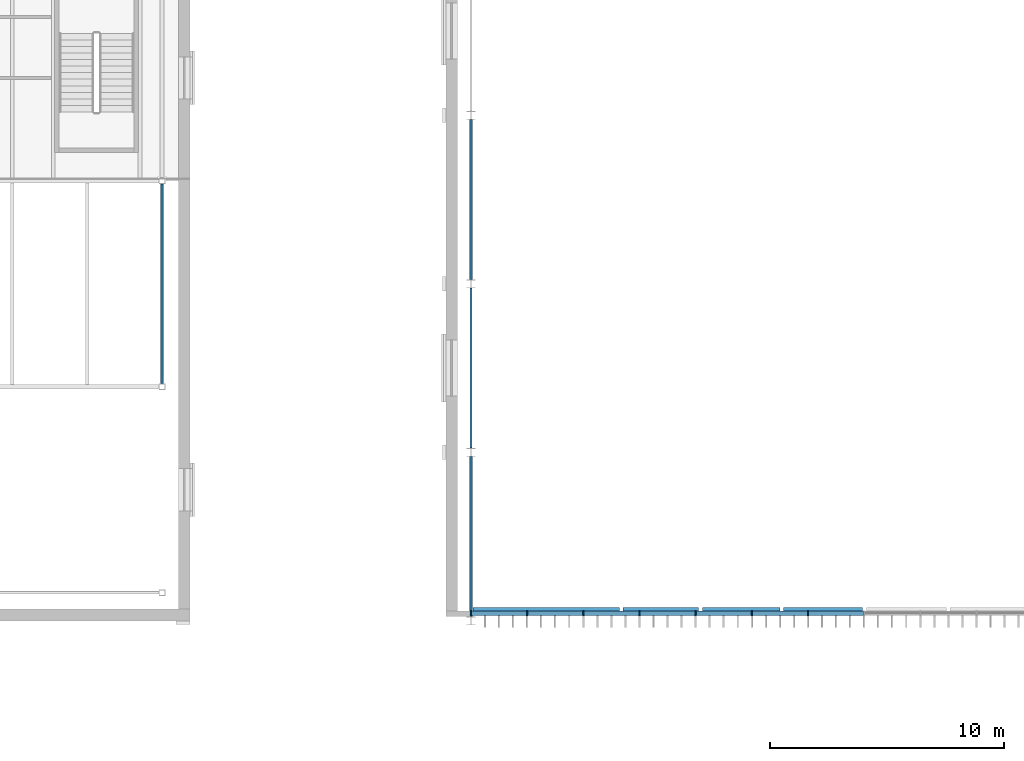
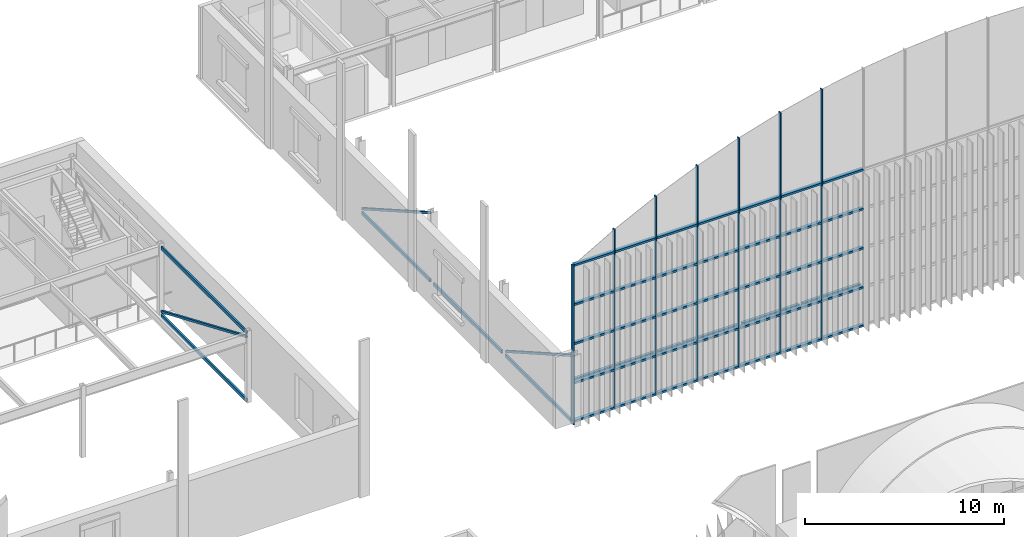
# One storey, part 49 of 169: 45 members, 9 beams, 1 element without a shape of its own.
"""IFC4 building model written with IfcOpenShell, lengths in metres."""

from ifc_helpers import new_model, si_unit, direction, frame, origin, origin_2d, place, context, subcontext, project, spatial, rectangle, hollow_rectangle, extrude, material, layer, layer_set, material_profile, profile_set, type_object, element, aggregate, save


model = new_model("IFC4")

# Units and contexts
model_context = context("Model", 3, precision=1e-05, world=origin(), true_north=direction((0.0, 1.0)))
body_context = subcontext(model_context, "Body", "Model", "MODEL_VIEW")
ifc_project = project(units=[si_unit("LENGTHUNIT", "METRE"), si_unit("AREAUNIT", "SQUARE_METRE"), si_unit("VOLUMEUNIT", "CUBIC_METRE"), si_unit("PLANEANGLEUNIT", "RADIAN"), si_unit("MASSUNIT", "GRAM", prefix="KILO")], contexts=[model_context])

# Site, building, storey
site_placement = place(None, origin())
site = spatial("IfcSite", under=ifc_project, at=site_placement, CompositionType="ELEMENT")
building_placement = place(site_placement, origin())
building = spatial("IfcBuilding", under=site, at=building_placement, Name="Verrick Yard Athletic Hall", CompositionType="ELEMENT")
storey_placement = place(building_placement, frame((0.0, 0.0, 4.39990234375)))
storey = spatial("IfcBuildingStorey", under=building, at=storey_placement, Name="L01", CompositionType="ELEMENT", Elevation=4.39990234375)

# Curtain wall, members
ifc_material_1 = material(Name="Anodised aluminium", Category="aluminium")
ifc_layer = layer(ifc_material_1, 0.199951171875)
ifc_layer_set = layer_set([ifc_layer], Name="Gable glazing")
curtain_wall_type = type_object("IfcCurtainWallType", Name="Gable glazing", PredefinedType="NOTDEFINED", material=ifc_layer_set)
curtain_wall_placement = place(storey_placement, origin())
curtain_wall = element("IfcCurtainWall", 1, at=curtain_wall_placement, inside=storey, type_object=curtain_wall_type, Name="Gable curtain wall AS", PredefinedType="NOTDEFINED")
ifc_material_profile_1 = material_profile(ifc_material_1, rectangle(XDim=0.199951171875, YDim=0.06005859375, at=origin_2d()), Name="CW gable mullion 60x200")
ifc_profile_set_1 = profile_set([ifc_material_profile_1], Name="Anodised aluminium")
member_type_1 = type_object("IfcMemberType", Name="Gable glazing mullion 60x200", PredefinedType="MULLION", material=ifc_profile_set_1)
member_1_placement = place(storey_placement, frame((121.60009765625, 72.318359375, 0.0), z_axis=(0.0, 0.0, 1.0), x_axis=(0.0, 1.0, 0.0)))
member_1 = element("IfcMember", 2, at=member_1_placement, type_object=member_type_1, Name="ENVB-HAS-CW/M00", PredefinedType="MULLION", context=body_context, shape_type="SweptSolid", body=[
    extrude(rectangle(XDim=0.199951171875, YDim=0.06005859375, at=origin_2d()), origin(), (0.0, 0.0, 1.0), 9.60009765625),
])
member_2_placement = place(storey_placement, frame((124.0, 72.318359375, 0.0), z_axis=(0.0, 0.0, 1.0), x_axis=(0.0, 1.0, 0.0)))
member_2 = element("IfcMember", 3, at=member_2_placement, type_object=member_type_1, Name="ENVB-HAS-CW/M01", PredefinedType="MULLION", context=body_context, shape_type="SweptSolid", body=[
    extrude(rectangle(XDim=0.199951171875, YDim=0.06005859375, at=origin_2d()), origin(), (0.0, 0.0, 1.0), 10.970458984375),
])
member_3_placement = place(storey_placement, frame((126.39990234375, 72.318359375, 0.0), z_axis=(0.0, 0.0, 1.0), x_axis=(0.0, 1.0, 0.0)))
member_3 = element("IfcMember", 4, at=member_3_placement, type_object=member_type_1, Name="ENVB-HAS-CW/M02", PredefinedType="MULLION", context=body_context, shape_type="SweptSolid", body=[
    extrude(rectangle(XDim=0.199951171875, YDim=0.06005859375, at=origin_2d()), origin(), (0.0, 0.0, 1.0), 12.15869140625),
])
member_4_placement = place(storey_placement, frame((128.800048828125, 72.318359375, 0.0), z_axis=(0.0, 0.0, 1.0), x_axis=(0.0, 1.0, 0.0)))
member_4 = element("IfcMember", 5, at=member_4_placement, type_object=member_type_1, Name="ENVB-HAS-CW/M03", PredefinedType="MULLION", context=body_context, shape_type="SweptSolid", body=[
    extrude(rectangle(XDim=0.199951171875, YDim=0.06005859375, at=origin_2d()), origin(), (0.0, 0.0, 1.0), 13.1796875),
])
member_5_placement = place(storey_placement, frame((131.199951171875, 72.318359375, 0.0), z_axis=(0.0, 0.0, 1.0), x_axis=(0.0, 1.0, 0.0)))
member_5 = element("IfcMember", 6, at=member_5_placement, type_object=member_type_1, Name="ENVB-HAS-CW/M04", PredefinedType="MULLION", context=body_context, shape_type="SweptSolid", body=[
    extrude(rectangle(XDim=0.199951171875, YDim=0.06005859375, at=origin_2d()), origin(), (0.0, 0.0, 1.0), 14.045166015625),
])
member_6_placement = place(storey_placement, frame((133.60009765625, 72.318359375, 0.0), z_axis=(0.0, 0.0, 1.0), x_axis=(0.0, 1.0, 0.0)))
member_6 = element("IfcMember", 7, at=member_6_placement, type_object=member_type_1, Name="ENVB-HAS-CW/M05", PredefinedType="MULLION", context=body_context, shape_type="SweptSolid", body=[
    extrude(rectangle(XDim=0.199951171875, YDim=0.06005859375, at=origin_2d()), origin(), (0.0, 0.0, 1.0), 14.764404296875),
])
member_7_placement = place(storey_placement, frame((136.0, 72.318359375, 0.0), z_axis=(0.0, 0.0, 1.0), x_axis=(0.0, 1.0, 0.0)))
member_7 = element("IfcMember", 8, at=member_7_placement, type_object=member_type_1, Name="ENVB-HAS-CW/M06", PredefinedType="MULLION", context=body_context, shape_type="SweptSolid", body=[
    extrude(rectangle(XDim=0.199951171875, YDim=0.06005859375, at=origin_2d()), origin(), (0.0, 0.0, 1.0), 15.344482421875),
])
ifc_material_profile_2 = material_profile(ifc_material_1, rectangle(XDim=0.199951171875, YDim=0.1201171875, at=origin_2d()), Name="CW gable transom 200x120")
ifc_profile_set_2 = profile_set([ifc_material_profile_2], Name="Anodised aluminium")
member_type_2 = type_object("IfcMemberType", Name="Gable glazing transom 200x120", PredefinedType="USERDEFINED", material=ifc_profile_set_2)
member_8_placement = place(storey_placement, frame((121.6298828125, 72.318359375, 0.06005859375), z_axis=(1.0, 0.0, 0.0), x_axis=(0.0, 1.0, 0.0)))
member_8 = element("IfcMember", 9, at=member_8_placement, type_object=member_type_2, Name="ENVB-HAS-CW/T00-00", ObjectType="TRANSOM", PredefinedType="USERDEFINED", context=body_context, shape_type="SweptSolid", body=[
    extrude(rectangle(XDim=0.199951171875, YDim=0.1201171875, at=origin_2d()), origin(), (0.0, 0.0, 1.0), 2.340087890625),
])
member_9_placement = place(storey_placement, frame((121.6298828125, 72.318359375, 2.400146484375), z_axis=(1.0, 0.0, 0.0), x_axis=(0.0, 1.0, 0.0)))
member_9 = element("IfcMember", 10, at=member_9_placement, type_object=member_type_2, Name="ENVB-HAS-CW/T00-01", ObjectType="TRANSOM", PredefinedType="USERDEFINED", context=body_context, shape_type="SweptSolid", body=[
    extrude(rectangle(XDim=0.199951171875, YDim=0.1201171875, at=origin_2d()), origin(), (0.0, 0.0, 1.0), 2.340087890625),
])
member_10_placement = place(storey_placement, frame((121.6298828125, 72.318359375, 4.800048828125), z_axis=(1.0, 0.0, 0.0), x_axis=(0.0, 1.0, 0.0)))
member_10 = element("IfcMember", 11, at=member_10_placement, type_object=member_type_2, Name="ENVB-HAS-CW/T00-02", ObjectType="TRANSOM", PredefinedType="USERDEFINED", context=body_context, shape_type="SweptSolid", body=[
    extrude(rectangle(XDim=0.199951171875, YDim=0.1201171875, at=origin_2d()), origin(), (0.0, 0.0, 1.0), 2.340087890625),
])
member_11_placement = place(storey_placement, frame((121.6298828125, 72.318359375, 7.2001953125), z_axis=(1.0, 0.0, 0.0), x_axis=(0.0, 1.0, 0.0)))
member_11 = element("IfcMember", 12, at=member_11_placement, type_object=member_type_2, Name="ENVB-HAS-CW/T00-03", ObjectType="TRANSOM", PredefinedType="USERDEFINED", context=body_context, shape_type="SweptSolid", body=[
    extrude(rectangle(XDim=0.199951171875, YDim=0.1201171875, at=origin_2d()), origin(), (0.0, 0.0, 1.0), 2.340087890625),
])
member_12_placement = place(storey_placement, frame((121.6298828125, 72.318359375, 9.60009765625), z_axis=(1.0, 0.0, 0.0), x_axis=(0.0, 1.0, 0.0)))
member_12 = element("IfcMember", 13, at=member_12_placement, type_object=member_type_2, Name="ENVB-HAS-CW/T00-04", ObjectType="TRANSOM", PredefinedType="USERDEFINED", context=body_context, shape_type="SweptSolid", body=[
    extrude(rectangle(XDim=0.199951171875, YDim=0.1201171875, at=origin_2d()), origin(), (0.0, 0.0, 1.0), 2.340087890625),
])
member_13_placement = place(storey_placement, frame((124.030029296875, 72.318359375, 0.06005859375), z_axis=(1.0, 0.0, 0.0), x_axis=(0.0, 1.0, 0.0)))
member_13 = element("IfcMember", 14, at=member_13_placement, type_object=member_type_2, Name="ENVB-HAS-CW/T01-00", ObjectType="TRANSOM", PredefinedType="USERDEFINED", context=body_context, shape_type="SweptSolid", body=[
    extrude(rectangle(XDim=0.199951171875, YDim=0.1201171875, at=origin_2d()), origin(), (0.0, 0.0, 1.0), 2.340087890625),
])
member_14_placement = place(storey_placement, frame((124.030029296875, 72.318359375, 2.400146484375), z_axis=(1.0, 0.0, 0.0), x_axis=(0.0, 1.0, 0.0)))
member_14 = element("IfcMember", 15, at=member_14_placement, type_object=member_type_2, Name="ENVB-HAS-CW/T01-01", ObjectType="TRANSOM", PredefinedType="USERDEFINED", context=body_context, shape_type="SweptSolid", body=[
    extrude(rectangle(XDim=0.199951171875, YDim=0.1201171875, at=origin_2d()), origin(), (0.0, 0.0, 1.0), 2.340087890625),
])
member_15_placement = place(storey_placement, frame((124.030029296875, 72.318359375, 4.800048828125), z_axis=(1.0, 0.0, 0.0), x_axis=(0.0, 1.0, 0.0)))
member_15 = element("IfcMember", 16, at=member_15_placement, type_object=member_type_2, Name="ENVB-HAS-CW/T01-02", ObjectType="TRANSOM", PredefinedType="USERDEFINED", context=body_context, shape_type="SweptSolid", body=[
    extrude(rectangle(XDim=0.199951171875, YDim=0.1201171875, at=origin_2d()), origin(), (0.0, 0.0, 1.0), 2.340087890625),
])
member_16_placement = place(storey_placement, frame((124.030029296875, 72.318359375, 7.2001953125), z_axis=(1.0, 0.0, 0.0), x_axis=(0.0, 1.0, 0.0)))
member_16 = element("IfcMember", 17, at=member_16_placement, type_object=member_type_2, Name="ENVB-HAS-CW/T01-03", ObjectType="TRANSOM", PredefinedType="USERDEFINED", context=body_context, shape_type="SweptSolid", body=[
    extrude(rectangle(XDim=0.199951171875, YDim=0.1201171875, at=origin_2d()), origin(), (0.0, 0.0, 1.0), 2.340087890625),
])
member_17_placement = place(storey_placement, frame((124.030029296875, 72.318359375, 9.60009765625), z_axis=(1.0, 0.0, 0.0), x_axis=(0.0, 1.0, 0.0)))
member_17 = element("IfcMember", 18, at=member_17_placement, type_object=member_type_2, Name="ENVB-HAS-CW/T01-04", ObjectType="TRANSOM", PredefinedType="USERDEFINED", context=body_context, shape_type="SweptSolid", body=[
    extrude(rectangle(XDim=0.199951171875, YDim=0.1201171875, at=origin_2d()), origin(), (0.0, 0.0, 1.0), 2.340087890625),
])
member_18_placement = place(storey_placement, frame((126.429931640625, 72.318359375, 0.06005859375), z_axis=(1.0, 0.0, 0.0), x_axis=(0.0, 1.0, 0.0)))
member_18 = element("IfcMember", 19, at=member_18_placement, type_object=member_type_2, Name="ENVB-HAS-CW/T02-00", ObjectType="TRANSOM", PredefinedType="USERDEFINED", context=body_context, shape_type="SweptSolid", body=[
    extrude(rectangle(XDim=0.199951171875, YDim=0.1201171875, at=origin_2d()), origin(), (0.0, 0.0, 1.0), 2.340087890625),
])
member_19_placement = place(storey_placement, frame((126.429931640625, 72.318359375, 2.400146484375), z_axis=(1.0, 0.0, 0.0), x_axis=(0.0, 1.0, 0.0)))
member_19 = element("IfcMember", 20, at=member_19_placement, type_object=member_type_2, Name="ENVB-HAS-CW/T02-01", ObjectType="TRANSOM", PredefinedType="USERDEFINED", context=body_context, shape_type="SweptSolid", body=[
    extrude(rectangle(XDim=0.199951171875, YDim=0.1201171875, at=origin_2d()), origin(), (0.0, 0.0, 1.0), 2.340087890625),
])
member_20_placement = place(storey_placement, frame((126.429931640625, 72.318359375, 4.800048828125), z_axis=(1.0, 0.0, 0.0), x_axis=(0.0, 1.0, 0.0)))
member_20 = element("IfcMember", 21, at=member_20_placement, type_object=member_type_2, Name="ENVB-HAS-CW/T02-02", ObjectType="TRANSOM", PredefinedType="USERDEFINED", context=body_context, shape_type="SweptSolid", body=[
    extrude(rectangle(XDim=0.199951171875, YDim=0.1201171875, at=origin_2d()), origin(), (0.0, 0.0, 1.0), 2.340087890625),
])
member_21_placement = place(storey_placement, frame((126.429931640625, 72.318359375, 7.2001953125), z_axis=(1.0, 0.0, 0.0), x_axis=(0.0, 1.0, 0.0)))
member_21 = element("IfcMember", 22, at=member_21_placement, type_object=member_type_2, Name="ENVB-HAS-CW/T02-03", ObjectType="TRANSOM", PredefinedType="USERDEFINED", context=body_context, shape_type="SweptSolid", body=[
    extrude(rectangle(XDim=0.199951171875, YDim=0.1201171875, at=origin_2d()), origin(), (0.0, 0.0, 1.0), 2.340087890625),
])
member_22_placement = place(storey_placement, frame((126.429931640625, 72.318359375, 9.60009765625), z_axis=(1.0, 0.0, 0.0), x_axis=(0.0, 1.0, 0.0)))
member_22 = element("IfcMember", 23, at=member_22_placement, type_object=member_type_2, Name="ENVB-HAS-CW/T02-04", ObjectType="TRANSOM", PredefinedType="USERDEFINED", context=body_context, shape_type="SweptSolid", body=[
    extrude(rectangle(XDim=0.199951171875, YDim=0.1201171875, at=origin_2d()), origin(), (0.0, 0.0, 1.0), 2.340087890625),
])
member_23_placement = place(storey_placement, frame((128.830078125, 72.318359375, 0.06005859375), z_axis=(1.0, 0.0, 0.0), x_axis=(0.0, 1.0, 0.0)))
member_23 = element("IfcMember", 24, at=member_23_placement, type_object=member_type_2, Name="ENVB-HAS-CW/T03-00", ObjectType="TRANSOM", PredefinedType="USERDEFINED", context=body_context, shape_type="SweptSolid", body=[
    extrude(rectangle(XDim=0.199951171875, YDim=0.1201171875, at=origin_2d()), origin(), (0.0, 0.0, 1.0), 2.33984375),
])
member_24_placement = place(storey_placement, frame((128.830078125, 72.318359375, 2.400146484375), z_axis=(1.0, 0.0, 0.0), x_axis=(0.0, 1.0, 0.0)))
member_24 = element("IfcMember", 25, at=member_24_placement, type_object=member_type_2, Name="ENVB-HAS-CW/T03-01", ObjectType="TRANSOM", PredefinedType="USERDEFINED", context=body_context, shape_type="SweptSolid", body=[
    extrude(rectangle(XDim=0.199951171875, YDim=0.1201171875, at=origin_2d()), origin(), (0.0, 0.0, 1.0), 2.33984375),
])
member_25_placement = place(storey_placement, frame((128.830078125, 72.318359375, 4.800048828125), z_axis=(1.0, 0.0, 0.0), x_axis=(0.0, 1.0, 0.0)))
member_25 = element("IfcMember", 26, at=member_25_placement, type_object=member_type_2, Name="ENVB-HAS-CW/T03-02", ObjectType="TRANSOM", PredefinedType="USERDEFINED", context=body_context, shape_type="SweptSolid", body=[
    extrude(rectangle(XDim=0.199951171875, YDim=0.1201171875, at=origin_2d()), origin(), (0.0, 0.0, 1.0), 2.33984375),
])
member_26_placement = place(storey_placement, frame((128.830078125, 72.318359375, 7.2001953125), z_axis=(1.0, 0.0, 0.0), x_axis=(0.0, 1.0, 0.0)))
member_26 = element("IfcMember", 27, at=member_26_placement, type_object=member_type_2, Name="ENVB-HAS-CW/T03-03", ObjectType="TRANSOM", PredefinedType="USERDEFINED", context=body_context, shape_type="SweptSolid", body=[
    extrude(rectangle(XDim=0.199951171875, YDim=0.1201171875, at=origin_2d()), origin(), (0.0, 0.0, 1.0), 2.33984375),
])
member_27_placement = place(storey_placement, frame((128.830078125, 72.318359375, 9.60009765625), z_axis=(1.0, 0.0, 0.0), x_axis=(0.0, 1.0, 0.0)))
member_27 = element("IfcMember", 28, at=member_27_placement, type_object=member_type_2, Name="ENVB-HAS-CW/T03-04", ObjectType="TRANSOM", PredefinedType="USERDEFINED", context=body_context, shape_type="SweptSolid", body=[
    extrude(rectangle(XDim=0.199951171875, YDim=0.1201171875, at=origin_2d()), origin(), (0.0, 0.0, 1.0), 2.33984375),
])
member_28_placement = place(storey_placement, frame((131.22998046875, 72.318359375, 0.06005859375), z_axis=(1.0, 0.0, 0.0), x_axis=(0.0, 1.0, 0.0)))
member_28 = element("IfcMember", 29, at=member_28_placement, type_object=member_type_2, Name="ENVB-HAS-CW/T04-00", ObjectType="TRANSOM", PredefinedType="USERDEFINED", context=body_context, shape_type="SweptSolid", body=[
    extrude(rectangle(XDim=0.199951171875, YDim=0.1201171875, at=origin_2d()), origin(), (0.0, 0.0, 1.0), 2.340087890625),
])
member_29_placement = place(storey_placement, frame((131.22998046875, 72.318359375, 2.400146484375), z_axis=(1.0, 0.0, 0.0), x_axis=(0.0, 1.0, 0.0)))
member_29 = element("IfcMember", 30, at=member_29_placement, type_object=member_type_2, Name="ENVB-HAS-CW/T04-01", ObjectType="TRANSOM", PredefinedType="USERDEFINED", context=body_context, shape_type="SweptSolid", body=[
    extrude(rectangle(XDim=0.199951171875, YDim=0.1201171875, at=origin_2d()), origin(), (0.0, 0.0, 1.0), 2.340087890625),
])
member_30_placement = place(storey_placement, frame((131.22998046875, 72.318359375, 4.800048828125), z_axis=(1.0, 0.0, 0.0), x_axis=(0.0, 1.0, 0.0)))
member_30 = element("IfcMember", 31, at=member_30_placement, type_object=member_type_2, Name="ENVB-HAS-CW/T04-02", ObjectType="TRANSOM", PredefinedType="USERDEFINED", context=body_context, shape_type="SweptSolid", body=[
    extrude(rectangle(XDim=0.199951171875, YDim=0.1201171875, at=origin_2d()), origin(), (0.0, 0.0, 1.0), 2.340087890625),
])
member_31_placement = place(storey_placement, frame((131.22998046875, 72.318359375, 7.2001953125), z_axis=(1.0, 0.0, 0.0), x_axis=(0.0, 1.0, 0.0)))
member_31 = element("IfcMember", 32, at=member_31_placement, type_object=member_type_2, Name="ENVB-HAS-CW/T04-03", ObjectType="TRANSOM", PredefinedType="USERDEFINED", context=body_context, shape_type="SweptSolid", body=[
    extrude(rectangle(XDim=0.199951171875, YDim=0.1201171875, at=origin_2d()), origin(), (0.0, 0.0, 1.0), 2.340087890625),
])
member_32_placement = place(storey_placement, frame((131.22998046875, 72.318359375, 9.60009765625), z_axis=(1.0, 0.0, 0.0), x_axis=(0.0, 1.0, 0.0)))
member_32 = element("IfcMember", 33, at=member_32_placement, type_object=member_type_2, Name="ENVB-HAS-CW/T04-04", ObjectType="TRANSOM", PredefinedType="USERDEFINED", context=body_context, shape_type="SweptSolid", body=[
    extrude(rectangle(XDim=0.199951171875, YDim=0.1201171875, at=origin_2d()), origin(), (0.0, 0.0, 1.0), 2.340087890625),
])
member_33_placement = place(storey_placement, frame((133.6298828125, 72.318359375, 0.06005859375), z_axis=(1.0, 0.0, 0.0), x_axis=(0.0, 1.0, 0.0)))
member_33 = element("IfcMember", 34, at=member_33_placement, type_object=member_type_2, Name="ENVB-HAS-CW/T05-00", ObjectType="TRANSOM", PredefinedType="USERDEFINED", context=body_context, shape_type="SweptSolid", body=[
    extrude(rectangle(XDim=0.199951171875, YDim=0.1201171875, at=origin_2d()), origin(), (0.0, 0.0, 1.0), 2.340087890625),
])
member_34_placement = place(storey_placement, frame((133.6298828125, 72.318359375, 2.400146484375), z_axis=(1.0, 0.0, 0.0), x_axis=(0.0, 1.0, 0.0)))
member_34 = element("IfcMember", 35, at=member_34_placement, type_object=member_type_2, Name="ENVB-HAS-CW/T05-01", ObjectType="TRANSOM", PredefinedType="USERDEFINED", context=body_context, shape_type="SweptSolid", body=[
    extrude(rectangle(XDim=0.199951171875, YDim=0.1201171875, at=origin_2d()), origin(), (0.0, 0.0, 1.0), 2.340087890625),
])
member_35_placement = place(storey_placement, frame((133.6298828125, 72.318359375, 4.800048828125), z_axis=(1.0, 0.0, 0.0), x_axis=(0.0, 1.0, 0.0)))
member_35 = element("IfcMember", 36, at=member_35_placement, type_object=member_type_2, Name="ENVB-HAS-CW/T05-02", ObjectType="TRANSOM", PredefinedType="USERDEFINED", context=body_context, shape_type="SweptSolid", body=[
    extrude(rectangle(XDim=0.199951171875, YDim=0.1201171875, at=origin_2d()), origin(), (0.0, 0.0, 1.0), 2.340087890625),
])
member_36_placement = place(storey_placement, frame((133.6298828125, 72.318359375, 7.2001953125), z_axis=(1.0, 0.0, 0.0), x_axis=(0.0, 1.0, 0.0)))
member_36 = element("IfcMember", 37, at=member_36_placement, type_object=member_type_2, Name="ENVB-HAS-CW/T05-03", ObjectType="TRANSOM", PredefinedType="USERDEFINED", context=body_context, shape_type="SweptSolid", body=[
    extrude(rectangle(XDim=0.199951171875, YDim=0.1201171875, at=origin_2d()), origin(), (0.0, 0.0, 1.0), 2.340087890625),
])
member_37_placement = place(storey_placement, frame((133.6298828125, 72.318359375, 9.60009765625), z_axis=(1.0, 0.0, 0.0), x_axis=(0.0, 1.0, 0.0)))
member_37 = element("IfcMember", 38, at=member_37_placement, type_object=member_type_2, Name="ENVB-HAS-CW/T05-04", ObjectType="TRANSOM", PredefinedType="USERDEFINED", context=body_context, shape_type="SweptSolid", body=[
    extrude(rectangle(XDim=0.199951171875, YDim=0.1201171875, at=origin_2d()), origin(), (0.0, 0.0, 1.0), 2.340087890625),
])
member_38_placement = place(storey_placement, frame((136.030029296875, 72.318359375, 0.06005859375), z_axis=(1.0, 0.0, 0.0), x_axis=(0.0, 1.0, 0.0)))
member_38 = element("IfcMember", 39, at=member_38_placement, type_object=member_type_2, Name="ENVB-HAS-CW/T06-00", ObjectType="TRANSOM", PredefinedType="USERDEFINED", context=body_context, shape_type="SweptSolid", body=[
    extrude(rectangle(XDim=0.199951171875, YDim=0.1201171875, at=origin_2d()), origin(), (0.0, 0.0, 1.0), 2.340087890625),
])
member_39_placement = place(storey_placement, frame((136.030029296875, 72.318359375, 2.400146484375), z_axis=(1.0, 0.0, 0.0), x_axis=(0.0, 1.0, 0.0)))
member_39 = element("IfcMember", 40, at=member_39_placement, type_object=member_type_2, Name="ENVB-HAS-CW/T06-01", ObjectType="TRANSOM", PredefinedType="USERDEFINED", context=body_context, shape_type="SweptSolid", body=[
    extrude(rectangle(XDim=0.199951171875, YDim=0.1201171875, at=origin_2d()), origin(), (0.0, 0.0, 1.0), 2.340087890625),
])
member_40_placement = place(storey_placement, frame((136.030029296875, 72.318359375, 4.800048828125), z_axis=(1.0, 0.0, 0.0), x_axis=(0.0, 1.0, 0.0)))
member_40 = element("IfcMember", 41, at=member_40_placement, type_object=member_type_2, Name="ENVB-HAS-CW/T06-02", ObjectType="TRANSOM", PredefinedType="USERDEFINED", context=body_context, shape_type="SweptSolid", body=[
    extrude(rectangle(XDim=0.199951171875, YDim=0.1201171875, at=origin_2d()), origin(), (0.0, 0.0, 1.0), 2.340087890625),
])
member_41_placement = place(storey_placement, frame((136.030029296875, 72.318359375, 7.2001953125), z_axis=(1.0, 0.0, 0.0), x_axis=(0.0, 1.0, 0.0)))
member_41 = element("IfcMember", 42, at=member_41_placement, type_object=member_type_2, Name="ENVB-HAS-CW/T06-03", ObjectType="TRANSOM", PredefinedType="USERDEFINED", context=body_context, shape_type="SweptSolid", body=[
    extrude(rectangle(XDim=0.199951171875, YDim=0.1201171875, at=origin_2d()), origin(), (0.0, 0.0, 1.0), 2.340087890625),
])
member_42_placement = place(storey_placement, frame((136.030029296875, 72.318359375, 9.60009765625), z_axis=(1.0, 0.0, 0.0), x_axis=(0.0, 1.0, 0.0)))
member_42 = element("IfcMember", 43, at=member_42_placement, type_object=member_type_2, Name="ENVB-HAS-CW/T06-04", ObjectType="TRANSOM", PredefinedType="USERDEFINED", context=body_context, shape_type="SweptSolid", body=[
    extrude(rectangle(XDim=0.199951171875, YDim=0.1201171875, at=origin_2d()), origin(), (0.0, 0.0, 1.0), 2.340087890625),
])
aggregate(curtain_wall, [member_1, member_2, member_3, member_4, member_5, member_6, member_7, member_8, member_9, member_10, member_11, member_12, member_13, member_14, member_15, member_16, member_17, member_18, member_19, member_20, member_21, member_22, member_23, member_24, member_25, member_26, member_27, member_28, member_29, member_30, member_31, member_32, member_33, member_34, member_35, member_36, member_37, member_38, member_39, member_40, member_41, member_42])

# Beams
ifc_material_2 = material(Name="Structural steel HSS Class C 350W (CSA G40.20/G40.21)", Category="steel")
ifc_material_profile_3 = material_profile(ifc_material_2, hollow_rectangle(XDim=0.1015625, YDim=0.203125, WallThickness=0.009521484375, at=origin_2d()), Name="HSS203x102x9.5")
ifc_profile_set_3 = profile_set([ifc_material_profile_3], Name="Structural steel HSS Class C 350W (CSA G40.20/G40.21)")
beam_type_1 = type_object("IfcBeamType", Name="HB eaves girt HSS203x102x9.5", PredefinedType="BEAM", material=ifc_profile_set_3)
for number, where, z_axis, x_axis, name in (
    (44, (121.60009765625, 72.177978515625, 0.0), (0.0, 1.0, 0.0), (-1.0, 0.0, 0.0), "HB-GT-AW-1-L01"),
    (45, (121.60009765625, 79.3779296875, 0.0), (0.0, 1.0, 0.0), (-1.0, 0.0, 0.0), "HB-GT-AW-2-L01"),
):
    element("IfcBeam", number, at=place(storey_placement, frame(where, z_axis=z_axis, x_axis=x_axis)), inside=storey, type_object=beam_type_1, Name=name, PredefinedType="BEAM", context=body_context, shape_type="SweptSolid", body=[
        extrude(hollow_rectangle(XDim=0.1015625, YDim=0.203125, WallThickness=0.009521484375, at=origin_2d()), origin(), (0.0, 0.0, 1.0), 6.843994140625),
    ])
beam_1_placement = place(storey_placement, frame((121.60009765625, 86.577880859375, 0.0), z_axis=(0.0, 1.0, 0.0), x_axis=(-1.0, 0.0, 0.0)))
element("IfcBeam", 46, at=beam_1_placement, inside=storey, type_object=beam_type_1, Name="HB-GT-AW-3-L01", PredefinedType="BEAM", context=body_context, shape_type="SweptSolid", body=[
    extrude(hollow_rectangle(XDim=0.1015625, YDim=0.203125, WallThickness=0.009521484375, at=origin_2d()), origin(), (0.0, 0.0, 1.0), 6.84423828125),
])
for number, where, z_axis, x_axis, name in (
    (47, (108.39990234375, 82.126953125, 0.0), (0.0, 1.0, 0.0), (-1.0, 0.0, 0.0), "HB-GT-CE-L01"),
    (48, (108.39990234375, 82.126953125, 4.147216796875), (0.0, 1.0, 0.0), (-1.0, 0.0, 0.0), "HB-GT-CE-L02"),
):
    element("IfcBeam", number, at=place(storey_placement, frame(where, z_axis=z_axis, x_axis=x_axis)), inside=storey, type_object=beam_type_1, Name=name, PredefinedType="BEAM", context=body_context, shape_type="SweptSolid", body=[
        extrude(hollow_rectangle(XDim=0.1015625, YDim=0.203125, WallThickness=0.009521484375, at=origin_2d()), origin(), (0.0, 0.0, 1.0), 8.546142578125),
    ])

# Members
ifc_material_profile_4 = material_profile(ifc_material_2, hollow_rectangle(XDim=0.126953125, YDim=0.126953125, WallThickness=0.009521484375, at=origin_2d()), Name="HSS127x127x9.5")
ifc_profile_set_4 = profile_set([ifc_material_profile_4], Name="Structural steel HSS Class C 350W (CSA G40.20/G40.21)")
member_type_3 = type_object("IfcMemberType", Name="HB wall brace HSS127x127x9.5", PredefinedType="BRACE", material=ifc_profile_set_4)
member_43_placement = place(storey_placement, frame((121.60009765625, 72.20947265625, 4.130615234375), z_axis=(0.0, 0.869002642273, -0.494807445096), x_axis=(-1.0, 0.0, 0.0)))
element("IfcMember", 49, at=member_43_placement, inside=storey, type_object=member_type_3, Name="HB-BRW-AW-1-L01", PredefinedType="BRACE", context=body_context, shape_type="SweptSolid", body=[
    extrude(hollow_rectangle(XDim=0.126953125, YDim=0.126953125, WallThickness=0.009521484375, at=origin_2d()), origin(), (0.0, 0.0, 1.0), 7.80322265625),
])
member_44_placement = place(storey_placement, frame((121.60009765625, 86.609375, 4.130615234375), z_axis=(0.0, 0.869010302149, -0.494793992241), x_axis=(-1.0, 0.0, 0.0)))
element("IfcMember", 50, at=member_44_placement, inside=storey, type_object=member_type_3, Name="HB-BRW-AW-3-L01", PredefinedType="BRACE", context=body_context, shape_type="SweptSolid", body=[
    extrude(hollow_rectangle(XDim=0.126953125, YDim=0.126953125, WallThickness=0.009521484375, at=origin_2d()), origin(), (0.0, 0.0, 1.0), 7.803466796875),
])
member_45_placement = place(storey_placement, frame((108.39990234375, 82.15185546875, 3.884765625), z_axis=(0.0, 0.919877619205, -0.392205514605), x_axis=(-1.0, 0.0, 0.0)))
element("IfcMember", 51, at=member_45_placement, inside=storey, type_object=member_type_3, Name="HB-BRW-CE-L01", PredefinedType="BRACE", context=body_context, shape_type="SweptSolid", body=[
    extrude(hollow_rectangle(XDim=0.126953125, YDim=0.126953125, WallThickness=0.009521484375, at=origin_2d()), origin(), (0.0, 0.0, 1.0), 9.236328125),
])

# Beams
ifc_material_profile_5 = material_profile(ifc_material_2, hollow_rectangle(XDim=0.15234375, YDim=0.25390625, WallThickness=0.009521484375, at=origin_2d()), Name="HSS254x152x9.5")
ifc_profile_set_5 = profile_set([ifc_material_profile_5], Name="Structural steel HSS Class C 350W (CSA G40.20/G40.21)")
beam_type_2 = type_object("IfcBeamType", Name="HB wind girder HSS254x152x9.5", PredefinedType="BEAM", material=ifc_profile_set_5)
beam_2_placement = place(storey_placement, frame((121.67626953125, 72.49462890625, 2.400146484375), z_axis=(1.0, 0.0, 0.0), x_axis=(0.0, 1.0, 0.0)))
element("IfcBeam", 52, at=beam_2_placement, inside=storey, type_object=beam_type_2, Name="HB-WG-AS-68-1", PredefinedType="BEAM", context=body_context, shape_type="SweptSolid", body=[
    extrude(hollow_rectangle(XDim=0.15234375, YDim=0.25390625, WallThickness=0.009521484375, at=origin_2d()), origin(), (0.0, 0.0, 1.0), 6.271240234375),
])
beam_3_placement = place(storey_placement, frame((128.099853515625, 72.49462890625, 2.400146484375), z_axis=(1.0, 0.0, 0.0), x_axis=(0.0, 1.0, 0.0)))
element("IfcBeam", 53, at=beam_3_placement, inside=storey, type_object=beam_type_2, Name="HB-WG-AS-68-2", PredefinedType="BEAM", context=body_context, shape_type="SweptSolid", body=[
    extrude(hollow_rectangle(XDim=0.15234375, YDim=0.25390625, WallThickness=0.009521484375, at=origin_2d()), origin(), (0.0, 0.0, 1.0), 3.2314453125),
])
beam_4_placement = place(storey_placement, frame((131.483642578125, 72.49462890625, 2.400146484375), z_axis=(1.0, 0.0, 0.0), x_axis=(0.0, 1.0, 0.0)))
element("IfcBeam", 54, at=beam_4_placement, inside=storey, type_object=beam_type_2, Name="HB-WG-AS-68-3", PredefinedType="BEAM", context=body_context, shape_type="SweptSolid", body=[
    extrude(hollow_rectangle(XDim=0.15234375, YDim=0.25390625, WallThickness=0.009521484375, at=origin_2d()), origin(), (0.0, 0.0, 1.0), 3.31884765625),
])
beam_5_placement = place(storey_placement, frame((134.954833984375, 72.49462890625, 2.400146484375), z_axis=(1.0, 0.0, 0.0), x_axis=(0.0, 1.0, 0.0)))
element("IfcBeam", 55, at=beam_5_placement, inside=storey, type_object=beam_type_2, Name="HB-WG-AS-68-4", PredefinedType="BEAM", context=body_context, shape_type="SweptSolid", body=[
    extrude(hollow_rectangle(XDim=0.15234375, YDim=0.25390625, WallThickness=0.009521484375, at=origin_2d()), origin(), (0.0, 0.0, 1.0), 3.384521484375),
])

save(model, "model.ifc")
